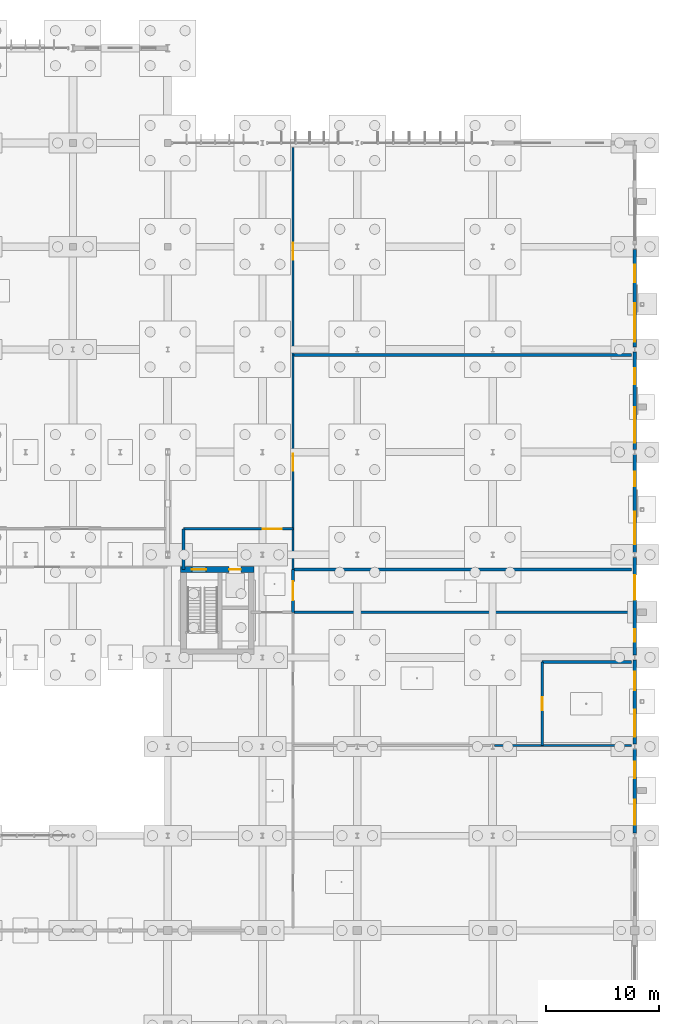
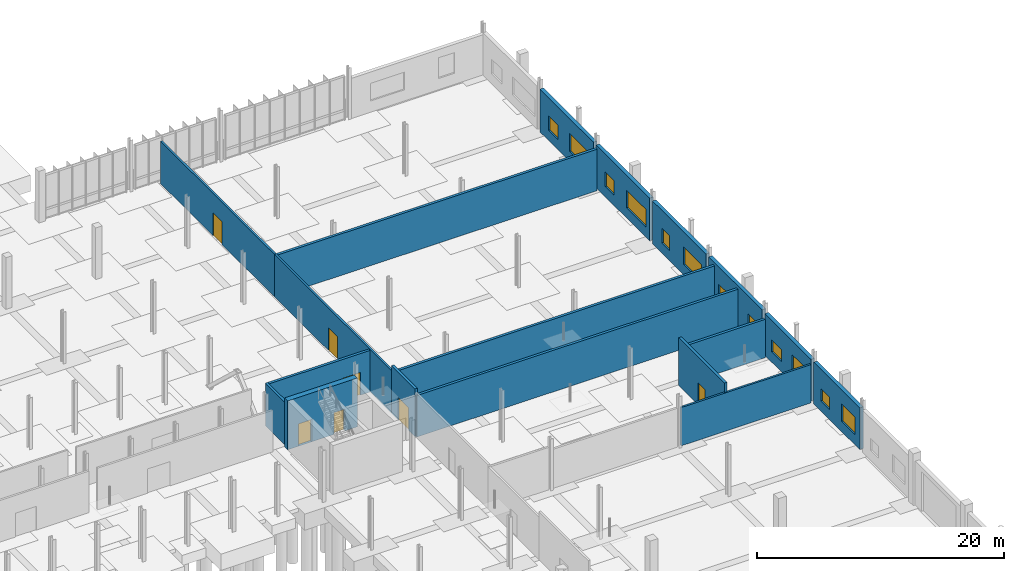
# One storey, part 88 of 119: 18 walls, 11 windows, 8 doors, 19 openings.
"""IFC4 building model written with IfcOpenShell, lengths in metres."""

from ifc_helpers import new_model, si_unit, derived_unit, direction, frame, frame_2d, origin, place, context, subcontext, project, spatial, rectangle, extrude, material, layer, layer_set, type_object, element, fill, save


model = new_model("IFC4")

# Units and contexts
model_context = context("Model", 3, precision=1e-05, world=origin(), true_north=direction((0.0, 1.0)))
body_context = subcontext(model_context, "Body", "Model", "MODEL_VIEW")
ifc_project = project(units=[si_unit("LENGTHUNIT", "METRE"), si_unit("AREAUNIT", "SQUARE_METRE"), si_unit("VOLUMEUNIT", "CUBIC_METRE"), si_unit("PLANEANGLEUNIT", "RADIAN"), si_unit("MASSUNIT", "GRAM", prefix="KILO"), derived_unit("THERMALTRANSMITTANCEUNIT", [(si_unit("MASSUNIT", "GRAM", prefix="KILO"), 1), (si_unit("TIMEUNIT", "SECOND"), -3), (si_unit("THERMODYNAMICTEMPERATUREUNIT", "KELVIN"), -1)])], contexts=[model_context])

# Site, building, storey
site_placement = place(None, origin())
site = spatial("IfcSite", under=ifc_project, at=site_placement, CompositionType="ELEMENT")
building_placement = place(site_placement, origin())
building = spatial("IfcBuilding", under=site, at=building_placement, Name="Makaiwela Harbour Ferry Terminal", CompositionType="ELEMENT")
storey_placement = place(building_placement, origin())
storey = spatial("IfcBuildingStorey", under=building, at=storey_placement, Name="L00", CompositionType="ELEMENT", Elevation=0.0)

# Wall, openings, windows
ifc_material_1 = material(Name="Precast concrete f'c 40 MPa (6000 psi) with Hawaiian basalt rainscreen", Category="masonry")
ifc_layer_1 = layer(ifc_material_1, 0.340087890625)
ifc_layer_set_1 = layer_set([ifc_layer_1], Name="Precast concrete f'c 40 MPa (6000 psi) with Hawaiian basalt rainscreen")
wall_type_1 = type_object("IfcWallType", Name="ENV-WL-EXT340", PredefinedType="SOLIDWALL", material=ifc_layer_set_1)
wall_1_placement = place(storey_placement, frame((180.0, 41.276611328125, 0.0), z_axis=(0.0, 0.0, 1.0), x_axis=(0.0, -1.0, 0.0)))
wall_1 = element("IfcWall", 1, at=wall_1_placement, inside=storey, type_object=wall_type_1, Name="Exterior Wall EW-054", PredefinedType="SOLIDWALL", context=body_context, shape_type="SweptSolid", body=[
    extrude(rectangle(XDim=7.453125, YDim=0.340087890625, at=frame_2d((3.7265625, 0.0))), origin(), (0.0, 0.0, 1.0), 4.123046875),
])
opening_1_placement = place(wall_1_placement, frame((1.13818359375, 0.0, 1.0)))
opening_1 = element("IfcOpeningElement", 2, at=opening_1_placement, cuts=wall_1, Name="Opening W-05", PredefinedType="OPENING", context=body_context, shape_type="SweptSolid", body=[
    extrude(rectangle(XDim=1.449951171875, YDim=1.199951171875, at=frame_2d((0.72509765625, 0.60009765625))), frame((0.0, 0.179931640625, 0.0), z_axis=(0.0, -1.0, 0.0), x_axis=(1.0, 0.0, 0.0)), (0.0, 0.0, 1.0), 0.360107421875),
])
opening_2_placement = place(wall_1_placement, frame((4.48974609375, 0.0, 1.0)))
opening_2 = element("IfcOpeningElement", 3, at=opening_2_placement, cuts=wall_1, Name="Opening W-24", PredefinedType="OPENING", context=body_context, shape_type="SweptSolid", body=[
    extrude(rectangle(XDim=2.199951171875, YDim=1.75, at=frame_2d((1.10009765625, 0.875))), frame((0.0, 0.179931640625, 0.0), z_axis=(0.0, -1.0, 0.0), x_axis=(1.0, 0.0, 0.0)), (0.0, 0.0, 1.0), 0.360107421875),
])
ifc_material_2 = material(Name="Laminated hurricane-impact low-E insulated glazing", Category="glass")
window_type_1 = type_object("IfcWindowType", Name="ENV-WIN-05", PartitioningType="SINGLE_PANEL", PredefinedType="WINDOW", material=ifc_material_2)
window_1_placement = place(opening_1_placement, origin())
window_1 = element("IfcWindow", 4, at=window_1_placement, inside=storey, type_object=window_type_1, Name="Exterior Window W-05", OverallHeight=1.199951171875, OverallWidth=1.449951171875, PartitioningType="SINGLE_PANEL", PredefinedType="WINDOW", context=body_context, shape_type="SweptSolid", body=[
    extrude(rectangle(XDim=1.449951171875, YDim=1.199951171875, at=frame_2d((0.72509765625, 0.60009765625))), frame((0.0, 0.030029296875, 0.0), z_axis=(0.0, -1.0, 0.0), x_axis=(1.0, 0.0, 0.0)), (0.0, 0.0, 1.0), 0.06005859375),
])
fill(opening_1, window_1)
window_type_2 = type_object("IfcWindowType", Name="ENV-WIN-24", PartitioningType="SINGLE_PANEL", PredefinedType="WINDOW", material=ifc_material_2)
window_2_placement = place(opening_2_placement, origin())
window_2 = element("IfcWindow", 5, at=window_2_placement, inside=storey, type_object=window_type_2, Name="Exterior Window W-24", OverallHeight=1.75, OverallWidth=2.199951171875, PartitioningType="SINGLE_PANEL", PredefinedType="WINDOW", context=body_context, shape_type="SweptSolid", body=[
    extrude(rectangle(XDim=2.199951171875, YDim=1.75, at=frame_2d((1.10009765625, 0.875))), frame((0.0, 0.030029296875, 0.0), z_axis=(0.0, -1.0, 0.0), x_axis=(1.0, 0.0, 0.0)), (0.0, 0.0, 1.0), 0.06005859375),
])
fill(opening_2, window_2)

wall_2_placement = place(storey_placement, frame((180.0, 49.176513671875, 0.0), z_axis=(0.0, 0.0, 1.0), x_axis=(0.0, -1.0, 0.0)))
wall_2 = element("IfcWall", 6, at=wall_2_placement, inside=storey, type_object=wall_type_1, Name="Exterior Wall EW-056", PredefinedType="SOLIDWALL", context=body_context, shape_type="SweptSolid", body=[
    extrude(rectangle(XDim=7.453125, YDim=0.340087890625, at=frame_2d((3.7265625, 0.0))), origin(), (0.0, 0.0, 1.0), 4.123046875),
])
opening_3_placement = place(wall_2_placement, frame((1.063232421875, 0.0, 1.0)))
opening_3 = element("IfcOpeningElement", 7, at=opening_3_placement, cuts=wall_2, Name="Opening W-06", PredefinedType="OPENING", context=body_context, shape_type="SweptSolid", body=[
    extrude(rectangle(XDim=1.60009765625, YDim=1.199951171875, at=frame_2d((0.800048828125, 0.60009765625))), frame((0.0, 0.179931640625, 0.0), z_axis=(0.0, -1.0, 0.0), x_axis=(1.0, 0.0, 0.0)), (0.0, 0.0, 1.0), 0.360107421875),
])
opening_4_placement = place(wall_2_placement, frame((4.3896484375, 0.0, 1.0)))
opening_4 = element("IfcOpeningElement", 8, at=opening_4_placement, cuts=wall_2, Name="Opening W-25", PredefinedType="OPENING", context=body_context, shape_type="SweptSolid", body=[
    extrude(rectangle(XDim=2.39990234375, YDim=1.75, at=frame_2d((1.199951171875, 0.875))), frame((0.0, 0.179931640625, 0.0), z_axis=(0.0, -1.0, 0.0), x_axis=(1.0, 0.0, 0.0)), (0.0, 0.0, 1.0), 0.360107421875),
])
window_type_3 = type_object("IfcWindowType", Name="ENV-WIN-06", PartitioningType="SINGLE_PANEL", PredefinedType="WINDOW", material=ifc_material_2)
window_3_placement = place(opening_3_placement, origin())
window_3 = element("IfcWindow", 9, at=window_3_placement, inside=storey, type_object=window_type_3, Name="Exterior Window W-06", OverallHeight=1.199951171875, OverallWidth=1.60009765625, PartitioningType="SINGLE_PANEL", PredefinedType="WINDOW", context=body_context, shape_type="SweptSolid", body=[
    extrude(rectangle(XDim=1.60009765625, YDim=1.199951171875, at=frame_2d((0.800048828125, 0.60009765625))), frame((0.0, 0.030029296875, 0.0), z_axis=(0.0, -1.0, 0.0), x_axis=(1.0, 0.0, 0.0)), (0.0, 0.0, 1.0), 0.06005859375),
])
fill(opening_3, window_3)
window_type_4 = type_object("IfcWindowType", Name="ENV-WIN-25", PartitioningType="SINGLE_PANEL", PredefinedType="WINDOW", material=ifc_material_2)
window_4_placement = place(opening_4_placement, origin())
window_4 = element("IfcWindow", 10, at=window_4_placement, inside=storey, type_object=window_type_4, Name="Exterior Window W-25", OverallHeight=1.75, OverallWidth=2.39990234375, PartitioningType="SINGLE_PANEL", PredefinedType="WINDOW", context=body_context, shape_type="SweptSolid", body=[
    extrude(rectangle(XDim=2.39990234375, YDim=1.75, at=frame_2d((1.199951171875, 0.875))), frame((0.0, 0.030029296875, 0.0), z_axis=(0.0, -1.0, 0.0), x_axis=(1.0, 0.0, 0.0)), (0.0, 0.0, 1.0), 0.06005859375),
])
fill(opening_4, window_4)

# Wall, openings, door, window
wall_3_placement = place(storey_placement, frame((180.0, 58.276611328125, 0.0), z_axis=(0.0, 0.0, 1.0), x_axis=(0.0, -1.0, 0.0)))
wall_3 = element("IfcWall", 11, at=wall_3_placement, inside=storey, type_object=wall_type_1, Name="Exterior Wall EW-058", PredefinedType="SOLIDWALL", context=body_context, shape_type="SweptSolid", body=[
    extrude(rectangle(XDim=8.653076171875, YDim=0.340087890625, at=frame_2d((4.32666015625, 0.0))), origin(), (0.0, 0.0, 1.0), 4.221923828125),
])
opening_5_placement = place(wall_3_placement, frame((1.58251953125, 0.0, 0.0)))
opening_5 = element("IfcOpeningElement", 12, at=opening_5_placement, cuts=wall_3, Name="Opening ED-03", PredefinedType="OPENING", context=body_context, shape_type="SweptSolid", body=[
    extrude(rectangle(XDim=2.199951171875, YDim=2.5, at=frame_2d((1.10009765625, 1.25))), frame((0.0, 0.179931640625, 0.0), z_axis=(0.0, -1.0, 0.0), x_axis=(1.0, 0.0, 0.0)), (0.0, 0.0, 1.0), 0.360107421875),
])
opening_6_placement = place(wall_3_placement, frame((6.372314453125, 0.0, 1.0)))
opening_6 = element("IfcOpeningElement", 13, at=opening_6_placement, cuts=wall_3, Name="Opening W-07", PredefinedType="OPENING", context=body_context, shape_type="SweptSolid", body=[
    extrude(rectangle(XDim=1.10009765625, YDim=1.449951171875, at=frame_2d((0.550048828125, 0.72509765625))), frame((0.0, 0.179931640625, 0.0), z_axis=(0.0, -1.0, 0.0), x_axis=(1.0, 0.0, 0.0)), (0.0, 0.0, 1.0), 0.360107421875),
])
ifc_material_3 = material(Name="Marine anodised aluminium 6063-T6", Category="aluminium")
door_type_1 = type_object("IfcDoorType", Name="ENV-DR-EXT220", OperationType="NOTDEFINED", PredefinedType="DOOR", material=ifc_material_3)
door_1_placement = place(opening_5_placement, origin())
door_1 = element("IfcDoor", 14, at=door_1_placement, inside=storey, type_object=door_type_1, Name="Exterior Door ED-03", OperationType="DOUBLE_DOOR_SINGLE_SWING", OverallHeight=2.5, OverallWidth=2.199951171875, PredefinedType="DOOR", context=body_context, shape_type="SweptSolid", body=[
    extrude(rectangle(XDim=2.199951171875, YDim=2.5, at=frame_2d((1.10009765625, 1.25))), frame((0.0, 0.02490234375, 0.0), z_axis=(0.0, -1.0, 0.0), x_axis=(1.0, 0.0, 0.0)), (0.0, 0.0, 1.0), 0.050048828125),
])
fill(opening_5, door_1)
window_type_5 = type_object("IfcWindowType", Name="ENV-WIN-07", PartitioningType="SINGLE_PANEL", PredefinedType="WINDOW", material=ifc_material_2)
window_5_placement = place(opening_6_placement, origin())
window_5 = element("IfcWindow", 15, at=window_5_placement, inside=storey, type_object=window_type_5, Name="Exterior Window W-07", OverallHeight=1.449951171875, OverallWidth=1.10009765625, PartitioningType="SINGLE_PANEL", PredefinedType="WINDOW", context=body_context, shape_type="SweptSolid", body=[
    extrude(rectangle(XDim=1.10009765625, YDim=1.449951171875, at=frame_2d((0.550048828125, 0.72509765625))), frame((0.0, 0.030029296875, 0.0), z_axis=(0.0, -1.0, 0.0), x_axis=(1.0, 0.0, 0.0)), (0.0, 0.0, 1.0), 0.06005859375),
])
fill(opening_6, window_5)

# Wall, openings, windows
wall_4_placement = place(storey_placement, frame((180.0, 67.37646484375, 0.0), z_axis=(0.0, 0.0, 1.0), x_axis=(0.0, -1.0, 0.0)))
wall_4 = element("IfcWall", 16, at=wall_4_placement, inside=storey, type_object=wall_type_1, Name="Exterior Wall EW-060", PredefinedType="SOLIDWALL", context=body_context, shape_type="SweptSolid", body=[
    extrude(rectangle(XDim=8.653076171875, YDim=0.340087890625, at=frame_2d((4.32666015625, 0.0))), origin(), (0.0, 0.0, 1.0), 4.221923828125),
])
opening_7_placement = place(wall_4_placement, frame((1.5380859375, 0.0, 1.0)))
opening_7 = element("IfcOpeningElement", 17, at=opening_7_placement, cuts=wall_4, Name="Opening W-08", PredefinedType="OPENING", context=body_context, shape_type="SweptSolid", body=[
    extrude(rectangle(XDim=1.25, YDim=1.449951171875, at=frame_2d((0.625, 0.72509765625))), frame((0.0, 0.179931640625, 0.0), z_axis=(0.0, -1.0, 0.0), x_axis=(1.0, 0.0, 0.0)), (0.0, 0.0, 1.0), 0.360107421875),
])
opening_8_placement = place(wall_4_placement, frame((5.039794921875, 0.0, 1.0)))
opening_8 = element("IfcOpeningElement", 18, at=opening_8_placement, cuts=wall_4, Name="Opening W-27", PredefinedType="OPENING", context=body_context, shape_type="SweptSolid", body=[
    extrude(rectangle(XDim=2.89990234375, YDim=1.75, at=frame_2d((1.449951171875, 0.875))), frame((0.0, 0.179931640625, 0.0), z_axis=(0.0, -1.0, 0.0), x_axis=(1.0, 0.0, 0.0)), (0.0, 0.0, 1.0), 0.360107421875),
])
window_type_6 = type_object("IfcWindowType", Name="ENV-WIN-08", PartitioningType="SINGLE_PANEL", PredefinedType="WINDOW", material=ifc_material_2)
window_6_placement = place(opening_7_placement, origin())
window_6 = element("IfcWindow", 19, at=window_6_placement, inside=storey, type_object=window_type_6, Name="Exterior Window W-08", OverallHeight=1.449951171875, OverallWidth=1.25, PartitioningType="SINGLE_PANEL", PredefinedType="WINDOW", context=body_context, shape_type="SweptSolid", body=[
    extrude(rectangle(XDim=1.25, YDim=1.449951171875, at=frame_2d((0.625, 0.72509765625))), frame((0.0, 0.030029296875, 0.0), z_axis=(0.0, -1.0, 0.0), x_axis=(1.0, 0.0, 0.0)), (0.0, 0.0, 1.0), 0.06005859375),
])
fill(opening_7, window_6)
window_type_7 = type_object("IfcWindowType", Name="ENV-WIN-27", PartitioningType="SINGLE_PANEL", PredefinedType="WINDOW", material=ifc_material_2)
window_7_placement = place(opening_8_placement, origin())
window_7 = element("IfcWindow", 20, at=window_7_placement, inside=storey, type_object=window_type_7, Name="Exterior Window W-27", OverallHeight=1.75, OverallWidth=2.89990234375, PartitioningType="SINGLE_PANEL", PredefinedType="WINDOW", context=body_context, shape_type="SweptSolid", body=[
    extrude(rectangle(XDim=2.89990234375, YDim=1.75, at=frame_2d((1.449951171875, 0.875))), frame((0.0, 0.030029296875, 0.0), z_axis=(0.0, -1.0, 0.0), x_axis=(1.0, 0.0, 0.0)), (0.0, 0.0, 1.0), 0.06005859375),
])
fill(opening_8, window_7)

wall_5_placement = place(storey_placement, frame((180.0, 76.4765625, 0.0), z_axis=(0.0, 0.0, 1.0), x_axis=(0.0, -1.0, 0.0)))
wall_5 = element("IfcWall", 21, at=wall_5_placement, inside=storey, type_object=wall_type_1, Name="Exterior Wall EW-062", PredefinedType="SOLIDWALL", context=body_context, shape_type="SweptSolid", body=[
    extrude(rectangle(XDim=8.653076171875, YDim=0.340087890625, at=frame_2d((4.32666015625, 0.0))), origin(), (0.0, 0.0, 1.0), 4.221923828125),
])
opening_9_placement = place(wall_5_placement, frame((1.46337890625, 0.0, 1.0)))
opening_9 = element("IfcOpeningElement", 22, at=opening_9_placement, cuts=wall_5, Name="Opening W-09", PredefinedType="OPENING", context=body_context, shape_type="SweptSolid", body=[
    extrude(rectangle(XDim=1.39990234375, YDim=1.449951171875, at=frame_2d((0.699951171875, 0.72509765625))), frame((0.0, 0.179931640625, 0.0), z_axis=(0.0, -1.0, 0.0), x_axis=(1.0, 0.0, 0.0)), (0.0, 0.0, 1.0), 0.360107421875),
])
opening_10_placement = place(wall_5_placement, frame((4.914794921875, 0.0, 1.0)))
opening_10 = element("IfcOpeningElement", 23, at=opening_10_placement, cuts=wall_5, Name="Opening W-28", PredefinedType="OPENING", context=body_context, shape_type="SweptSolid", body=[
    extrude(rectangle(XDim=3.14990234375, YDim=1.75, at=frame_2d((1.574951171875, 0.875))), frame((0.0, 0.179931640625, 0.0), z_axis=(0.0, -1.0, 0.0), x_axis=(1.0, 0.0, 0.0)), (0.0, 0.0, 1.0), 0.360107421875),
])
window_type_8 = type_object("IfcWindowType", Name="ENV-WIN-09", PartitioningType="SINGLE_PANEL", PredefinedType="WINDOW", material=ifc_material_2)
window_8_placement = place(opening_9_placement, origin())
window_8 = element("IfcWindow", 24, at=window_8_placement, inside=storey, type_object=window_type_8, Name="Exterior Window W-09", OverallHeight=1.449951171875, OverallWidth=1.39990234375, PartitioningType="SINGLE_PANEL", PredefinedType="WINDOW", context=body_context, shape_type="SweptSolid", body=[
    extrude(rectangle(XDim=1.39990234375, YDim=1.449951171875, at=frame_2d((0.699951171875, 0.72509765625))), frame((0.0, 0.030029296875, 0.0), z_axis=(0.0, -1.0, 0.0), x_axis=(1.0, 0.0, 0.0)), (0.0, 0.0, 1.0), 0.06005859375),
])
fill(opening_9, window_8)
window_type_9 = type_object("IfcWindowType", Name="ENV-WIN-28", PartitioningType="SINGLE_PANEL", PredefinedType="WINDOW", material=ifc_material_2)
window_9_placement = place(opening_10_placement, origin())
window_9 = element("IfcWindow", 25, at=window_9_placement, inside=storey, type_object=window_type_9, Name="Exterior Window W-28", OverallHeight=1.75, OverallWidth=3.14990234375, PartitioningType="SINGLE_PANEL", PredefinedType="WINDOW", context=body_context, shape_type="SweptSolid", body=[
    extrude(rectangle(XDim=3.14990234375, YDim=1.75, at=frame_2d((1.574951171875, 0.875))), frame((0.0, 0.030029296875, 0.0), z_axis=(0.0, -1.0, 0.0), x_axis=(1.0, 0.0, 0.0)), (0.0, 0.0, 1.0), 0.06005859375),
])
fill(opening_10, window_9)

wall_6_placement = place(storey_placement, frame((180.0, 85.576416015625, 0.0), z_axis=(0.0, 0.0, 1.0), x_axis=(0.0, -1.0, 0.0)))
wall_6 = element("IfcWall", 26, at=wall_6_placement, inside=storey, type_object=wall_type_1, Name="Exterior Wall EW-064", PredefinedType="SOLIDWALL", context=body_context, shape_type="SweptSolid", body=[
    extrude(rectangle(XDim=8.65283203125, YDim=0.340087890625, at=frame_2d((4.326416015625, 0.0))), origin(), (0.0, 0.0, 1.0), 4.221923828125),
])
opening_11_placement = place(wall_6_placement, frame((1.38818359375, 0.0, 1.0)))
opening_11 = element("IfcOpeningElement", 27, at=opening_11_placement, cuts=wall_6, Name="Opening W-10", PredefinedType="OPENING", context=body_context, shape_type="SweptSolid", body=[
    extrude(rectangle(XDim=1.550048828125, YDim=1.449951171875, at=frame_2d((0.77490234375, 0.72509765625))), frame((0.0, 0.179931640625, 0.0), z_axis=(0.0, -1.0, 0.0), x_axis=(1.0, 0.0, 0.0)), (0.0, 0.0, 1.0), 0.360107421875),
])
opening_12_placement = place(wall_6_placement, frame((4.789794921875, 0.0, 1.0)))
opening_12 = element("IfcOpeningElement", 28, at=opening_12_placement, cuts=wall_6, Name="Opening W-29", PredefinedType="OPENING", context=body_context, shape_type="SweptSolid", body=[
    extrude(rectangle(XDim=3.39990234375, YDim=1.75, at=frame_2d((1.699951171875, 0.875))), frame((0.0, 0.179931640625, 0.0), z_axis=(0.0, -1.0, 0.0), x_axis=(1.0, 0.0, 0.0)), (0.0, 0.0, 1.0), 0.360107421875),
])
window_type_10 = type_object("IfcWindowType", Name="ENV-WIN-10", PartitioningType="SINGLE_PANEL", PredefinedType="WINDOW", material=ifc_material_2)
window_10_placement = place(opening_11_placement, origin())
window_10 = element("IfcWindow", 29, at=window_10_placement, inside=storey, type_object=window_type_10, Name="Exterior Window W-10", OverallHeight=1.449951171875, OverallWidth=1.550048828125, PartitioningType="SINGLE_PANEL", PredefinedType="WINDOW", context=body_context, shape_type="SweptSolid", body=[
    extrude(rectangle(XDim=1.550048828125, YDim=1.449951171875, at=frame_2d((0.77490234375, 0.72509765625))), frame((0.0, 0.030029296875, 0.0), z_axis=(0.0, -1.0, 0.0), x_axis=(1.0, 0.0, 0.0)), (0.0, 0.0, 1.0), 0.06005859375),
])
fill(opening_11, window_10)
window_type_11 = type_object("IfcWindowType", Name="ENV-WIN-29", PartitioningType="SINGLE_PANEL", PredefinedType="WINDOW", material=ifc_material_2)
window_11_placement = place(opening_12_placement, origin())
window_11 = element("IfcWindow", 30, at=window_11_placement, inside=storey, type_object=window_type_11, Name="Exterior Window W-29", OverallHeight=1.75, OverallWidth=3.39990234375, PartitioningType="SINGLE_PANEL", PredefinedType="WINDOW", context=body_context, shape_type="SweptSolid", body=[
    extrude(rectangle(XDim=3.39990234375, YDim=1.75, at=frame_2d((1.699951171875, 0.875))), frame((0.0, 0.030029296875, 0.0), z_axis=(0.0, -1.0, 0.0), x_axis=(1.0, 0.0, 0.0)), (0.0, 0.0, 1.0), 0.06005859375),
])
fill(opening_12, window_11)

# Wall, opening, door
ifc_material_4 = material(Name="Fire-rated gypsum board on steel studs", Category="steel")
ifc_layer_2 = layer(ifc_material_4, 0.179931640625)
ifc_layer_set_2 = layer_set([ifc_layer_2], Name="Fire-rated gypsum board on steel studs")
wall_type_2 = type_object("IfcWallType", Name="INT-WL-FIR180", PredefinedType="PARTITIONING", material=ifc_layer_set_2)
wall_7_placement = place(storey_placement, frame((149.699951171875, 57.199951171875, 0.0), z_axis=(0.0, 0.0, 1.0), x_axis=(0.0, 1.0, 0.0)))
wall_7 = element("IfcWall", 31, at=wall_7_placement, inside=storey, type_object=wall_type_2, Name="Interior Wall IW-0485", PredefinedType="PARTITIONING", context=body_context, shape_type="SweptSolid", body=[
    extrude(rectangle(XDim=19.0, YDim=0.179931640625, at=frame_2d((9.5, 0.0))), origin(), (0.0, 0.0, 1.0), 4.18310546875),
])
opening_13_placement = place(wall_7_placement, frame((8.75, 0.0, 0.0)))
opening_13 = element("IfcOpeningElement", 32, at=opening_13_placement, cuts=wall_7, Name="Opening D-06", PredefinedType="OPENING", context=body_context, shape_type="SweptSolid", body=[
    extrude(rectangle(XDim=1.5, YDim=2.25, at=frame_2d((0.75, 1.125))), frame((0.0, 0.099853515625, 0.0), z_axis=(0.0, -1.0, 0.0), x_axis=(1.0, 0.0, 0.0)), (0.0, 0.0, 1.0), 0.199951171875),
])
ifc_material_5 = material(Name="Insulated galvanised fire-rated steel leaf and frame", Category="steel")
door_type_2 = type_object("IfcDoorType", Name="INT-DR-PLT150", OperationType="NOTDEFINED", PredefinedType="DOOR", material=ifc_material_5)
door_2_placement = place(opening_13_placement, frame((1.5, 0.0, 0.0), z_axis=(0.0, 0.0, 1.0), x_axis=(-1.0, 0.0, 0.0)))
door_2 = element("IfcDoor", 33, at=door_2_placement, inside=storey, type_object=door_type_2, Name="Door D-06", OperationType="SINGLE_SWING_RIGHT", OverallHeight=2.25, OverallWidth=1.5, PredefinedType="DOOR", context=body_context, shape_type="SweptSolid", body=[
    extrude(rectangle(XDim=1.5, YDim=2.25, at=frame_2d((0.75, 1.125))), frame((0.0, 0.02490234375, 0.0), z_axis=(0.0, -1.0, 0.0), x_axis=(1.0, 0.0, 0.0)), (0.0, 0.0, 1.0), 0.050048828125),
])
fill(opening_13, door_2)

wall_8_placement = place(storey_placement, frame((149.699951171875, 76.199951171875, 0.0), z_axis=(0.0, 0.0, 1.0), x_axis=(0.0, 1.0, 0.0)))
wall_8 = element("IfcWall", 34, at=wall_8_placement, inside=storey, type_object=wall_type_2, Name="Interior Wall IW-0486", PredefinedType="PARTITIONING", context=body_context, shape_type="SweptSolid", body=[
    extrude(rectangle(XDim=18.400146484375, YDim=0.179931640625, at=frame_2d((9.2001953125, 0.0))), origin(), (0.0, 0.0, 1.0), 4.18310546875),
])
opening_14_placement = place(wall_8_placement, frame((8.449951171875, 0.0, 0.0)))
opening_14 = element("IfcOpeningElement", 35, at=opening_14_placement, cuts=wall_8, Name="Opening D-06", PredefinedType="OPENING", context=body_context, shape_type="SweptSolid", body=[
    extrude(rectangle(XDim=1.5, YDim=2.25, at=frame_2d((0.75, 1.125))), frame((0.0, 0.099853515625, 0.0), z_axis=(0.0, -1.0, 0.0), x_axis=(1.0, 0.0, 0.0)), (0.0, 0.0, 1.0), 0.199951171875),
])
door_3_placement = place(opening_14_placement, frame((1.5, 0.0, 0.0), z_axis=(0.0, 0.0, 1.0), x_axis=(-1.0, 0.0, 0.0)))
door_3 = element("IfcDoor", 36, at=door_3_placement, inside=storey, type_object=door_type_2, Name="Door D-06", OperationType="SINGLE_SWING_LEFT", OverallHeight=2.25, OverallWidth=1.5, PredefinedType="DOOR", context=body_context, shape_type="SweptSolid", body=[
    extrude(rectangle(XDim=1.5, YDim=2.25, at=frame_2d((0.75, 1.125))), frame((0.0, 0.02490234375, 0.0), z_axis=(0.0, -1.0, 0.0), x_axis=(1.0, 0.0, 0.0)), (0.0, 0.0, 1.0), 0.050048828125),
])
fill(opening_14, door_3)

# Wall
wall_9_placement = place(storey_placement, frame((167.579345703125, 41.60009765625, 0.0), z_axis=(0.0, 0.0, 1.0), x_axis=(1.0, 0.0, 0.0)))
element("IfcWall", 37, at=wall_9_placement, inside=storey, type_object=wall_type_2, Name="Interior Wall IW-0489", PredefinedType="PARTITIONING", context=body_context, shape_type="SweptSolid", body=[
    extrude(rectangle(XDim=12.12060546875, YDim=0.179931640625, at=frame_2d((6.060302734375, 0.0))), origin(), (0.0, 0.0, 1.0), 3.784912109375),
])

# Wall, opening, door
ifc_layer_3 = layer(ifc_material_4, 0.239990234375)
ifc_layer_set_3 = layer_set([ifc_layer_3], Name="Fire-rated gypsum board on steel studs")
wall_type_3 = type_object("IfcWallType", Name="INT-WL-FIR240", PredefinedType="SOLIDWALL", material=ifc_layer_set_3)
wall_10_placement = place(storey_placement, frame((149.699951171875, 53.39990234375, 0.0), z_axis=(0.0, 0.0, 1.0), x_axis=(0.0, 1.0, 0.0)))
wall_10 = element("IfcWall", 38, at=wall_10_placement, inside=storey, type_object=wall_type_3, Name="Interior Wall IW-0484", PredefinedType="SOLIDWALL", context=body_context, shape_type="SweptSolid", body=[
    extrude(rectangle(XDim=3.800048828125, YDim=0.239990234375, at=frame_2d((1.89990234375, 0.0))), origin(), (0.0, 0.0, 1.0), 4.719970703125),
])
opening_15_placement = place(wall_10_placement, frame((1.050048828125, 0.0, 0.0)))
opening_15 = element("IfcOpeningElement", 39, at=opening_15_placement, cuts=wall_10, Name="Opening D-04", PredefinedType="OPENING", context=body_context, shape_type="SweptSolid", body=[
    extrude(rectangle(XDim=1.699951171875, YDim=2.25, at=frame_2d((0.85009765625, 1.125))), frame((0.0, 0.1298828125, 0.0), z_axis=(0.0, -1.0, 0.0), x_axis=(1.0, 0.0, 0.0)), (0.0, 0.0, 1.0), 0.260009765625),
])
door_type_3 = type_object("IfcDoorType", Name="INT-DR-COR170", OperationType="NOTDEFINED", PredefinedType="DOOR", material=ifc_material_5)
door_4_placement = place(opening_15_placement, frame((1.699951171875, 0.0, 0.0), z_axis=(0.0, 0.0, 1.0), x_axis=(-1.0, 0.0, 0.0)))
door_4 = element("IfcDoor", 40, at=door_4_placement, inside=storey, type_object=door_type_3, Name="Door D-04", OperationType="DOUBLE_DOOR_SINGLE_SWING", OverallHeight=2.25, OverallWidth=1.699951171875, PredefinedType="DOOR", context=body_context, shape_type="SweptSolid", body=[
    extrude(rectangle(XDim=1.699951171875, YDim=2.25, at=frame_2d((0.85009765625, 1.125))), frame((0.0, 0.02490234375, 0.0), z_axis=(0.0, -1.0, 0.0), x_axis=(1.0, 0.0, 0.0)), (0.0, 0.0, 1.0), 0.050048828125),
])
fill(opening_15, door_4)

# Wall
wall_11_placement = place(storey_placement, frame((140.0, 57.199951171875, 0.0), z_axis=(0.0, 0.0, 1.0), x_axis=(0.0, 1.0, 0.0)))
element("IfcWall", 41, at=wall_11_placement, inside=storey, type_object=wall_type_3, Name="Interior Wall IW-0490", PredefinedType="SOLIDWALL", context=body_context, shape_type="SweptSolid", body=[
    extrude(rectangle(XDim=3.60009765625, YDim=0.239990234375, at=frame_2d((1.800048828125, 0.0))), origin(), (0.0, 0.0, 1.0), 4.18310546875),
])

# Wall, opening, door
wall_12_placement = place(storey_placement, frame((140.0, 60.800048828125, 0.0), z_axis=(0.0, 0.0, 1.0), x_axis=(1.0, 0.0, 0.0)))
wall_12 = element("IfcWall", 42, at=wall_12_placement, inside=storey, type_object=wall_type_3, Name="Interior Wall IW-0491", PredefinedType="SOLIDWALL", context=body_context, shape_type="SweptSolid", body=[
    extrude(rectangle(XDim=9.699951171875, YDim=0.239990234375, at=frame_2d((4.85009765625, 0.0))), origin(), (0.0, 0.0, 1.0), 4.10205078125),
])
opening_16_placement = place(wall_12_placement, frame((7.007080078125, 0.0, 0.0)))
opening_16 = element("IfcOpeningElement", 43, at=opening_16_placement, cuts=wall_12, Name="Opening D-04", PredefinedType="OPENING", context=body_context, shape_type="SweptSolid", body=[
    extrude(rectangle(XDim=1.699951171875, YDim=2.25, at=frame_2d((0.85009765625, 1.125))), frame((0.0, 0.1298828125, 0.0), z_axis=(0.0, -1.0, 0.0), x_axis=(1.0, 0.0, 0.0)), (0.0, 0.0, 1.0), 0.260009765625),
])
door_5_placement = place(opening_16_placement, frame((1.699951171875, 0.0, 0.0), z_axis=(0.0, 0.0, 1.0), x_axis=(-1.0, 0.0, 0.0)))
door_5 = element("IfcDoor", 44, at=door_5_placement, inside=storey, type_object=door_type_3, Name="Door D-04", OperationType="DOUBLE_DOOR_SINGLE_SWING", OverallHeight=2.25, OverallWidth=1.699951171875, PredefinedType="DOOR", context=body_context, shape_type="SweptSolid", body=[
    extrude(rectangle(XDim=1.699951171875, YDim=2.25, at=frame_2d((0.85009765625, 1.125))), frame((0.0, 0.02490234375, 0.0), z_axis=(0.0, -1.0, 0.0), x_axis=(1.0, 0.0, 0.0)), (0.0, 0.0, 1.0), 0.050048828125),
])
fill(opening_16, door_5)

# Walls
for number, where, z_axis, x_axis, name in (
    (45, (149.699951171875, 53.39990234375, 0.0), (0.0, 0.0, 1.0), (1.0, 0.0, 0.0), "Interior Wall IW-0493"),
    (46, (149.699951171875, 57.199951171875, 0.0), (0.0, 0.0, 1.0), (1.0, 0.0, 0.0), "Interior Wall IW-0494"),
    (47, (149.699951171875, 76.199951171875, 0.0), (0.0, 0.0, 1.0), (1.0, 0.0, 0.0), "Interior Wall IW-0495"),
):
    element("IfcWall", number, at=place(storey_placement, frame(where, z_axis=z_axis, x_axis=x_axis)), inside=storey, type_object=wall_type_3, Name=name, PredefinedType="SOLIDWALL", context=body_context, shape_type="SweptSolid", body=[
        extrude(rectangle(XDim=30.0, YDim=0.239990234375, at=frame_2d((15.0, 0.0))), origin(), (0.0, 0.0, 1.0), 4.10205078125),
    ])

# Wall, opening, door
wall_13_placement = place(storey_placement, frame((171.800048828125, 41.60009765625, 0.0), z_axis=(0.0, 0.0, 1.0), x_axis=(0.0, 1.0, 0.0)))
wall_13 = element("IfcWall", 48, at=wall_13_placement, inside=storey, type_object=wall_type_3, Name="Interior Wall IW-0496", PredefinedType="SOLIDWALL", context=body_context, shape_type="SweptSolid", body=[
    extrude(rectangle(XDim=7.39990234375, YDim=0.239990234375, at=frame_2d((3.699951171875, 0.0))), origin(), (0.0, 0.0, 1.0), 4.719970703125),
])
opening_17_placement = place(wall_13_placement, frame((3.125, 0.0, 0.0)))
opening_17 = element("IfcOpeningElement", 49, at=opening_17_placement, cuts=wall_13, Name="Opening D-01", PredefinedType="OPENING", context=body_context, shape_type="SweptSolid", body=[
    extrude(rectangle(XDim=1.14990234375, YDim=2.14990234375, at=frame_2d((0.574951171875, 1.074951171875))), frame((0.0, 0.1298828125, 0.0), z_axis=(0.0, -1.0, 0.0), x_axis=(1.0, 0.0, 0.0)), (0.0, 0.0, 1.0), 0.260009765625),
])
door_type_4 = type_object("IfcDoorType", Name="INT-DR-ST115", OperationType="NOTDEFINED", PredefinedType="DOOR", material=ifc_material_5)
door_6_placement = place(opening_17_placement, frame((1.14990234375, 0.0, 0.0), z_axis=(0.0, 0.0, 1.0), x_axis=(-1.0, 0.0, 0.0)))
door_6 = element("IfcDoor", 50, at=door_6_placement, inside=storey, type_object=door_type_4, Name="Door D-01", OperationType="SINGLE_SWING_RIGHT", OverallHeight=2.14990234375, OverallWidth=1.14990234375, PredefinedType="DOOR", context=body_context, shape_type="SweptSolid", body=[
    extrude(rectangle(XDim=1.14990234375, YDim=2.14990234375, at=frame_2d((0.574951171875, 1.074951171875))), frame((0.0, 0.02490234375, 0.0), z_axis=(0.0, -1.0, 0.0), x_axis=(1.0, 0.0, 0.0)), (0.0, 0.0, 1.0), 0.050048828125),
])
fill(opening_17, door_6)

# Wall
wall_14_placement = place(storey_placement, frame((171.800048828125, 49.0, 0.0), z_axis=(0.0, 0.0, 1.0), x_axis=(1.0, 0.0, 0.0)))
element("IfcWall", 51, at=wall_14_placement, inside=storey, type_object=wall_type_3, Name="Interior Wall IW-0497", PredefinedType="SOLIDWALL", context=body_context, shape_type="SweptSolid", body=[
    extrude(rectangle(XDim=7.89990234375, YDim=0.239990234375, at=frame_2d((3.949951171875, 0.0))), origin(), (0.0, 0.0, 1.0), 3.784912109375),
])

# Wall, openings, doors
ifc_material_6 = material(Name="Concrete f'c 45 MPa (6500 psi)", Category="concrete")
ifc_layer_4 = layer(ifc_material_6, 0.5)
ifc_layer_set_4 = layer_set([ifc_layer_4], Name="Concrete f'c 45 MPa (6500 psi)")
wall_type_4 = type_object("IfcWallType", Name="INT-WL-SHR500", PredefinedType="SHEAR", material=ifc_layer_set_4)
wall_15_placement = place(storey_placement, frame((139.75, 57.199951171875, 0.0), z_axis=(0.0, 0.0, 1.0), x_axis=(1.0, 0.0, 0.0)))
wall_15 = element("IfcWall", 52, at=wall_15_placement, inside=storey, type_object=wall_type_4, Name="Interior Wall IW-0191", PredefinedType="SHEAR", context=body_context, shape_type="SweptSolid", body=[
    extrude(rectangle(XDim=6.5, YDim=0.5, at=frame_2d((3.25, 0.0))), origin(), (0.0, 0.0, 1.0), 4.820068359375),
])
opening_18_placement = place(wall_15_placement, frame((1.0, 0.0, 0.0)))
opening_18 = element("IfcOpeningElement", 53, at=opening_18_placement, cuts=wall_15, Name="Opening D-02", PredefinedType="OPENING", context=body_context, shape_type="SweptSolid", body=[
    extrude(rectangle(XDim=1.25, YDim=2.199951171875, at=frame_2d((0.625, 1.10009765625))), frame((0.0, 0.260009765625, 0.0), z_axis=(0.0, -1.0, 0.0), x_axis=(1.0, 0.0, 0.0)), (0.0, 0.0, 1.0), 0.52001953125),
])
opening_19_placement = place(wall_15_placement, frame((4.2998046875, 0.0, 0.0)))
opening_19 = element("IfcOpeningElement", 54, at=opening_19_placement, cuts=wall_15, Name="Opening LD-01", PredefinedType="OPENING", context=body_context, shape_type="SweptSolid", body=[
    extrude(rectangle(XDim=1.050048828125, YDim=2.14990234375, at=frame_2d((0.52490234375, 1.074951171875))), frame((0.0, 0.260009765625, 0.0), z_axis=(0.0, -1.0, 0.0), x_axis=(1.0, 0.0, 0.0)), (0.0, 0.0, 1.0), 0.52001953125),
])
ifc_material_7 = material(Name="Marine grade 316L brushed stainless steel", Category="steel")
door_type_5 = type_object("IfcDoorType", Name="INT-DR-LD105", OperationType="NOTDEFINED", PredefinedType="DOOR", material=ifc_material_7)
door_7_placement = place(opening_19_placement, origin())
door_7 = element("IfcDoor", 55, at=door_7_placement, inside=storey, type_object=door_type_5, Name="Door LD-01", OperationType="DOUBLE_DOOR_SLIDING", OverallHeight=2.14990234375, OverallWidth=1.050048828125, PredefinedType="DOOR", context=body_context, shape_type="SweptSolid", body=[
    extrude(rectangle(XDim=1.050048828125, YDim=2.14990234375, at=frame_2d((0.52490234375, 1.074951171875))), frame((0.0, 0.02490234375, 0.0), z_axis=(0.0, -1.0, 0.0), x_axis=(1.0, 0.0, 0.0)), (0.0, 0.0, 1.0), 0.050048828125),
])
fill(opening_19, door_7)
door_type_6 = type_object("IfcDoorType", Name="INT-DR-ST125", OperationType="NOTDEFINED", PredefinedType="DOOR", material=ifc_material_5)
door_8_placement = place(opening_18_placement, origin())
door_8 = element("IfcDoor", 56, at=door_8_placement, inside=storey, type_object=door_type_6, Name="Door D-02", OperationType="SINGLE_SWING_RIGHT", OverallHeight=2.199951171875, OverallWidth=1.25, PredefinedType="DOOR", context=body_context, shape_type="SweptSolid", body=[
    extrude(rectangle(XDim=1.25, YDim=2.199951171875, at=frame_2d((0.625, 1.10009765625))), frame((0.0, 0.02490234375, 0.0), z_axis=(0.0, -1.0, 0.0), x_axis=(1.0, 0.0, 0.0)), (0.0, 0.0, 1.0), 0.050048828125),
])
fill(opening_18, door_8)

save(model, "model.ifc")
